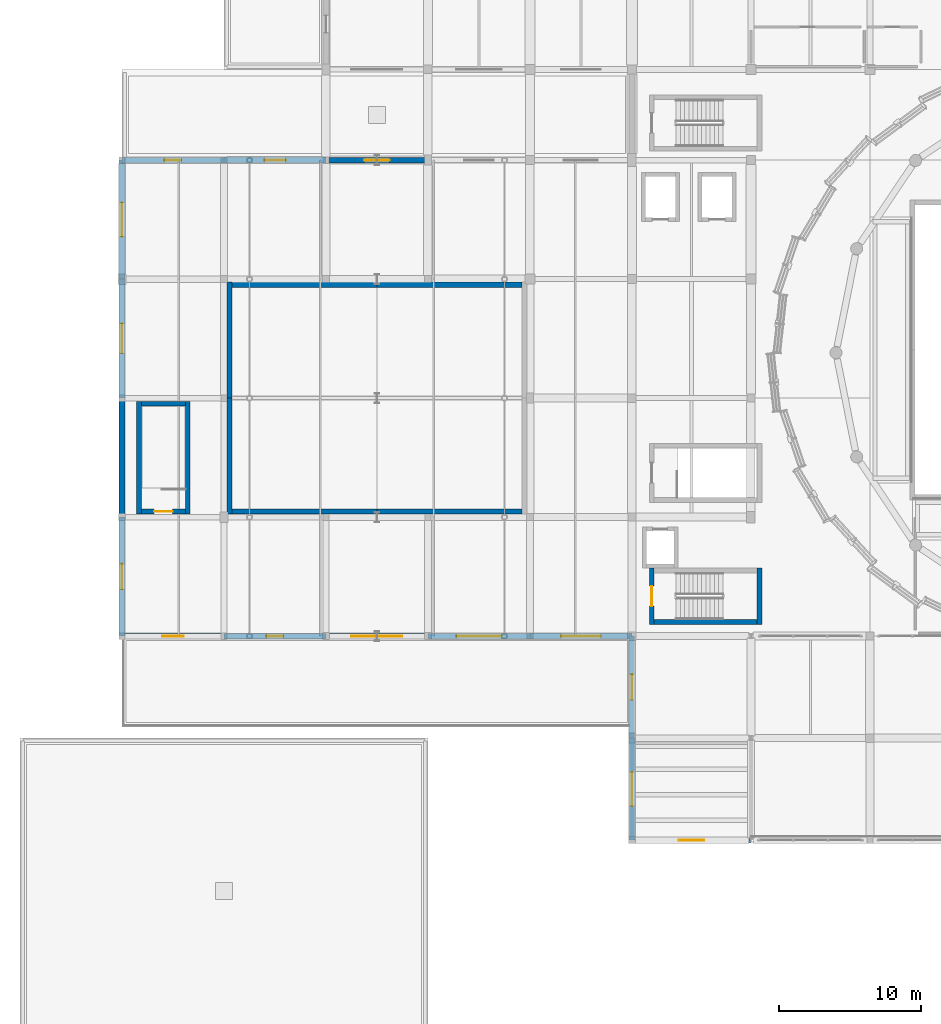
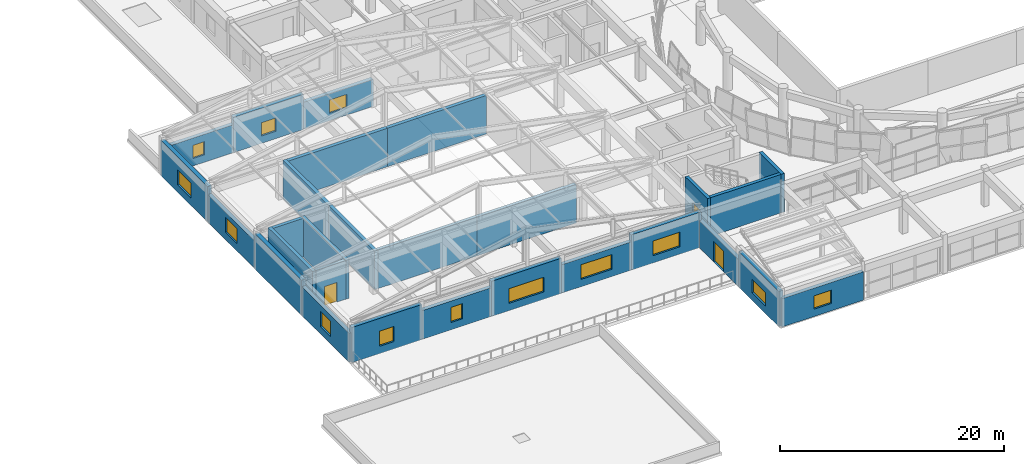
# One storey, part 54 of 74: 28 walls, 13 windows, 3 doors, 16 openings.
"""IFC4 building model written with IfcOpenShell, lengths in metres."""

from ifc_helpers import new_model, si_unit, direction, frame, frame_2d, origin, place, context, subcontext, project, spatial, rectangle, extrude, material, layer, layer_set, type_object, element, fill, save


model = new_model("IFC4")

# Units and contexts
model_context = context("Model", 3, precision=1e-05, world=origin(), true_north=direction((0.0, 1.0)))
body_context = subcontext(model_context, "Body", "Model", "MODEL_VIEW")
ifc_project = project(units=[si_unit("LENGTHUNIT", "METRE"), si_unit("AREAUNIT", "SQUARE_METRE"), si_unit("VOLUMEUNIT", "CUBIC_METRE"), si_unit("PLANEANGLEUNIT", "RADIAN"), si_unit("MASSUNIT", "GRAM", prefix="KILO")], contexts=[model_context])

# Site, building, storey
site_placement = place(None, origin())
site = spatial("IfcSite", under=ifc_project, at=site_placement, CompositionType="ELEMENT")
building_placement = place(site_placement, origin())
building = spatial("IfcBuilding", under=site, at=building_placement, Name="Korsvaeld Concert Hall", CompositionType="ELEMENT")
storey_placement = place(building_placement, frame((0.0, 0.0, 9.0)))
storey = spatial("IfcBuildingStorey", under=building, at=storey_placement, Name="L02", CompositionType="ELEMENT", Elevation=9.0)

# Walls
ifc_material_1 = material(Name="Concrete C40/50", Category="concrete")
ifc_layer_1 = layer(ifc_material_1, 0.340087890625)
ifc_layer_set_1 = layer_set([ifc_layer_1], Name="Concrete C40/50")
wall_type_1 = type_object("IfcWallType", Name="WL-CORE-340", PredefinedType="SHEAR", material=ifc_layer_set_1)
wall_1_placement = place(storey_placement, frame((51.969970703125, 44.199951171875, 0.0), z_axis=(0.0, 0.0, 1.0), x_axis=(1.0, 0.0, 0.0)))
element("IfcWall", 1, at=wall_1_placement, inside=storey, type_object=wall_type_1, Name="Core K3 shear wall L02 S", PredefinedType="SHEAR", context=body_context, shape_type="SweptSolid", body=[
    extrude(rectangle(XDim=7.260009765625, YDim=0.340087890625, at=frame_2d((3.6298828125, 0.0))), origin(), (0.0, 0.0, 1.0), 4.199951171875),
])
wall_2_placement = place(storey_placement, frame((59.39990234375, 44.030029296875, 0.0), z_axis=(0.0, 0.0, 1.0), x_axis=(0.0, 1.0, 0.0)))
element("IfcWall", 2, at=wall_2_placement, inside=storey, type_object=wall_type_1, Name="Core K3 shear wall L02 E", PredefinedType="SHEAR", context=body_context, shape_type="SweptSolid", body=[
    extrude(rectangle(XDim=3.97998046875, YDim=0.340087890625, at=frame_2d((1.989990234375, 0.0))), origin(), (0.0, 0.0, 1.0), 4.199951171875),
])

# Wall, opening, door
wall_3_placement = place(storey_placement, frame((51.800048828125, 48.010009765625, 0.0), z_axis=(0.0, 0.0, 1.0), x_axis=(0.0, -1.0, 0.0)))
wall_3 = element("IfcWall", 3, at=wall_3_placement, inside=storey, type_object=wall_type_1, Name="Core K3 shear wall L02 W", PredefinedType="SHEAR", context=body_context, shape_type="SweptSolid", body=[
    extrude(rectangle(XDim=3.97998046875, YDim=0.340087890625, at=frame_2d((1.989990234375, 0.0))), origin(), (0.0, 0.0, 1.0), 4.199951171875),
])
opening_1_placement = place(wall_3_placement, frame((1.2900390625, 0.0, 0.0)))
opening_1 = element("IfcOpeningElement", 4, at=opening_1_placement, cuts=wall_3, Name="Opening FD-02", PredefinedType="OPENING", context=body_context, shape_type="SweptSolid", body=[
    extrude(rectangle(XDim=1.39990234375, YDim=2.14990234375, at=frame_2d((0.699951171875, 1.074951171875))), frame((0.0, 0.18017578125, 0.0), z_axis=(0.0, -1.0, 0.0), x_axis=(1.0, 0.0, 0.0)), (0.0, 0.0, 1.0), 0.360107421875),
])
ifc_material_2 = material(Name="Acoustic steel and oak fire door", Category="steel")
door_type_1 = type_object("IfcDoorType", Name="DR-FD-STAIR-140x215", OperationType="NOTDEFINED", PredefinedType="DOOR", material=ifc_material_2)
door_1_placement = place(opening_1_placement, origin())
door_1 = element("IfcDoor", 5, at=door_1_placement, inside=storey, type_object=door_type_1, Name="Escape stair ST-K3 fire door L02", OperationType="SINGLE_SWING_RIGHT", OverallHeight=2.14990234375, OverallWidth=1.39990234375, PredefinedType="DOOR", context=body_context, shape_type="SweptSolid", body=[
    extrude(rectangle(XDim=1.39990234375, YDim=2.14990234375, at=frame_2d((0.699951171875, 1.074951171875))), frame((0.0, 0.02490234375, 0.0), z_axis=(0.0, -1.0, 0.0), x_axis=(1.0, 0.0, 0.0)), (0.0, 0.0, 1.0), 0.050048828125),
])
fill(opening_1, door_1)

wall_4_placement = place(storey_placement, frame((15.77001953125, 52.0, 0.0), z_axis=(0.0, 0.0, 1.0), x_axis=(1.0, 0.0, 0.0)))
wall_4 = element("IfcWall", 6, at=wall_4_placement, inside=storey, type_object=wall_type_1, Name="Core V3S shear wall L02 S", PredefinedType="SHEAR", context=body_context, shape_type="SweptSolid", body=[
    extrude(rectangle(XDim=3.10009765625, YDim=0.340087890625, at=frame_2d((1.550048828125, 0.0))), origin(), (0.0, 0.0, 1.0), 4.199951171875),
])
opening_2_placement = place(wall_4_placement, frame((0.89990234375, 0.0, 0.0)))
opening_2 = element("IfcOpeningElement", 7, at=opening_2_placement, cuts=wall_4, Name="Opening FD-01", PredefinedType="OPENING", context=body_context, shape_type="SweptSolid", body=[
    extrude(rectangle(XDim=1.300048828125, YDim=2.14990234375, at=frame_2d((0.64990234375, 1.074951171875))), frame((0.0, 0.18017578125, 0.0), z_axis=(0.0, -1.0, 0.0), x_axis=(1.0, 0.0, 0.0)), (0.0, 0.0, 1.0), 0.360107421875),
])
door_type_2 = type_object("IfcDoorType", Name="DR-FD-STAIR-130x215", OperationType="NOTDEFINED", PredefinedType="DOOR", material=ifc_material_2)
door_2_placement = place(opening_2_placement, origin())
door_2 = element("IfcDoor", 8, at=door_2_placement, inside=storey, type_object=door_type_2, Name="Escape stair ST-F3 fire door L02", OperationType="SINGLE_SWING_LEFT", OverallHeight=2.14990234375, OverallWidth=1.300048828125, PredefinedType="DOOR", context=body_context, shape_type="SweptSolid", body=[
    extrude(rectangle(XDim=1.300048828125, YDim=2.14990234375, at=frame_2d((0.64990234375, 1.074951171875))), frame((0.0, 0.02490234375, 0.0), z_axis=(0.0, -1.0, 0.0), x_axis=(1.0, 0.0, 0.0)), (0.0, 0.0, 1.0), 0.050048828125),
])
fill(opening_2, door_2)

# Walls
wall_5_placement = place(storey_placement, frame((19.0400390625, 51.830078125, 0.0), z_axis=(0.0, 0.0, 1.0), x_axis=(0.0, 1.0, 0.0)))
element("IfcWall", 9, at=wall_5_placement, inside=storey, type_object=wall_type_1, Name="Core V3S shear wall L02 E", PredefinedType="SHEAR", context=body_context, shape_type="SweptSolid", body=[
    extrude(rectangle(XDim=7.93994140625, YDim=0.340087890625, at=frame_2d((3.969970703125, 0.0))), origin(), (0.0, 0.0, 1.0), 4.199951171875),
])
wall_6_placement = place(storey_placement, frame((18.8701171875, 59.60009765625, 0.0), z_axis=(0.0, 0.0, 1.0), x_axis=(-1.0, 0.0, 0.0)))
element("IfcWall", 10, at=wall_6_placement, inside=storey, type_object=wall_type_1, Name="Core V3S shear wall L02 N", PredefinedType="SHEAR", context=body_context, shape_type="SweptSolid", body=[
    extrude(rectangle(XDim=3.10009765625, YDim=0.340087890625, at=frame_2d((1.550048828125, 0.0))), origin(), (0.0, 0.0, 1.0), 4.199951171875),
])
wall_7_placement = place(storey_placement, frame((15.60009765625, 59.77001953125, 0.0), z_axis=(0.0, 0.0, 1.0), x_axis=(0.0, -1.0, 0.0)))
element("IfcWall", 11, at=wall_7_placement, inside=storey, type_object=wall_type_1, Name="Core V3S shear wall L02 W", PredefinedType="SHEAR", context=body_context, shape_type="SweptSolid", body=[
    extrude(rectangle(XDim=7.93994140625, YDim=0.340087890625, at=frame_2d((3.969970703125, 0.0))), origin(), (0.0, 0.0, 1.0), 4.199951171875),
])

# Wall, opening, door
ifc_material_3 = material(Name="Obernkirchener buff sandstone rainscreen on Concrete C35/45", Category="masonry")
ifc_layer_2 = layer(ifc_material_3, 0.389892578125)
ifc_layer_set_2 = layer_set([ifc_layer_2], Name="Obernkirchener buff sandstone rainscreen on Concrete C35/45")
wall_type_2 = type_object("IfcWallType", Name="WL-EXT-BUFF-390", PredefinedType="STANDARD", material=ifc_layer_set_2)
wall_8_placement = place(storey_placement, frame((50.39990234375, 36.0, 0.0), z_axis=(0.0, 0.0, 1.0), x_axis=(0.0, 1.0, 0.0)))
wall_8 = element("IfcWall", 12, at=wall_8_placement, inside=storey, type_object=wall_type_2, Name="Exterior sandstone wall L02-214", PredefinedType="STANDARD", context=body_context, shape_type="SweptSolid", body=[
    extrude(rectangle(XDim=7.199951171875, YDim=0.389892578125, at=frame_2d((3.60009765625, 0.0))), origin(), (0.0, 0.0, 1.0), 2.93994140625),
])
opening_3_placement = place(wall_8_placement, frame((2.699951171875, 0.0, 0.0)))
opening_3 = element("IfcOpeningElement", 13, at=opening_3_placement, cuts=wall_8, Name="Opening TD-01", PredefinedType="OPENING", context=body_context, shape_type="SweptSolid", body=[
    extrude(rectangle(XDim=1.800048828125, YDim=2.199951171875, at=frame_2d((0.89990234375, 1.10009765625))), frame((0.0, 0.205078125, 0.0), z_axis=(0.0, -1.0, 0.0), x_axis=(1.0, 0.0, 0.0)), (0.0, 0.0, 1.0), 0.409912109375),
])
ifc_material_4 = material(Name="Anodised bronze terrace door")
door_type_3 = type_object("IfcDoorType", Name="DR-TER-180x220", OperationType="DOUBLE_DOOR_SINGLE_SWING", PredefinedType="DOOR", material=ifc_material_4)
door_3_placement = place(opening_3_placement, frame((1.800048828125, 0.0, 0.0), z_axis=(0.0, 0.0, 1.0), x_axis=(-1.0, 0.0, 0.0)))
door_3 = element("IfcDoor", 14, at=door_3_placement, inside=storey, type_object=door_type_3, Name="Roof-garden terrace access door TER_L02_W", OperationType="DOUBLE_DOOR_SINGLE_SWING", OverallHeight=2.199951171875, OverallWidth=1.800048828125, PredefinedType="DOOR", context=body_context, shape_type="SweptSolid", body=[
    extrude(rectangle(XDim=1.800048828125, YDim=2.199951171875, at=frame_2d((0.89990234375, 1.10009765625))), frame((0.0, 0.02490234375, 0.0), z_axis=(0.0, -1.0, 0.0), x_axis=(1.0, 0.0, 0.0)), (0.0, 0.0, 1.0), 0.050048828125),
])
fill(opening_3, door_3)

# Wall, opening, window
wall_9_placement = place(storey_placement, frame((43.199951171875, 43.199951171875, 0.0), z_axis=(0.0, 0.0, 1.0), x_axis=(-1.0, 0.0, 0.0)))
wall_9 = element("IfcWall", 15, at=wall_9_placement, inside=storey, type_object=wall_type_2, Name="Exterior sandstone wall L02-216", PredefinedType="STANDARD", context=body_context, shape_type="SweptSolid", body=[
    extrude(rectangle(XDim=7.199951171875, YDim=0.389892578125, at=frame_2d((3.60009765625, 0.0))), origin(), (0.0, 0.0, 1.0), 3.090087890625),
])
opening_4_placement = place(wall_9_placement, frame((2.0, 0.0, 0.800048828125)))
opening_4 = element("IfcOpeningElement", 16, at=opening_4_placement, cuts=wall_9, Name="Opening WN-15", PredefinedType="OPENING", context=body_context, shape_type="SweptSolid", body=[
    extrude(rectangle(XDim=3.199951171875, YDim=1.60009765625, at=frame_2d((1.60009765625, 0.800048828125))), frame((0.0, 0.205078125, 0.0), z_axis=(0.0, -1.0, 0.0), x_axis=(1.0, 0.0, 0.0)), (0.0, 0.0, 1.0), 0.409912109375),
])
ifc_material_5 = material(Name="Anodised bronze frame with acoustic triple glazing", Category="glass")
window_type_1 = type_object("IfcWindowType", Name="WIN-AC-320x160", PartitioningType="TRIPLE_PANEL_VERTICAL", PredefinedType="WINDOW", material=ifc_material_5)
window_1_placement = place(opening_4_placement, origin())
window_1 = element("IfcWindow", 17, at=window_1_placement, inside=storey, type_object=window_type_1, Name="Acoustic triple-glazed window L02-122", OverallHeight=1.60009765625, OverallWidth=3.199951171875, PartitioningType="TRIPLE_PANEL_VERTICAL", PredefinedType="WINDOW", context=body_context, shape_type="SweptSolid", body=[
    extrude(rectangle(XDim=3.199951171875, YDim=1.60009765625, at=frame_2d((1.60009765625, 0.800048828125))), frame((0.0, 0.030029296875, 0.0), z_axis=(0.0, -1.0, 0.0), x_axis=(1.0, 0.0, 0.0)), (0.0, 0.0, 1.0), 0.06005859375),
])
fill(opening_4, window_1)

wall_10_placement = place(storey_placement, frame((28.800048828125, 43.199951171875, 0.0), z_axis=(0.0, 0.0, 1.0), x_axis=(-1.0, 0.0, 0.0)))
wall_10 = element("IfcWall", 18, at=wall_10_placement, inside=storey, type_object=wall_type_2, Name="Exterior sandstone wall L02-218", PredefinedType="STANDARD", context=body_context, shape_type="SweptSolid", body=[
    extrude(rectangle(XDim=7.199951171875, YDim=0.389892578125, at=frame_2d((3.60009765625, 0.0))), origin(), (0.0, 0.0, 1.0), 3.139892578125),
])
opening_5_placement = place(wall_10_placement, frame((3.0, 0.0, 0.800048828125)))
opening_5 = element("IfcOpeningElement", 19, at=opening_5_placement, cuts=wall_10, Name="Opening WN-01", PredefinedType="OPENING", context=body_context, shape_type="SweptSolid", body=[
    extrude(rectangle(XDim=1.199951171875, YDim=1.64990234375, at=frame_2d((0.60009765625, 0.824951171875))), frame((0.0, 0.205078125, 0.0), z_axis=(0.0, -1.0, 0.0), x_axis=(1.0, 0.0, 0.0)), (0.0, 0.0, 1.0), 0.409912109375),
])
window_type_2 = type_object("IfcWindowType", Name="WIN-AC-120x165", PartitioningType="SINGLE_PANEL", PredefinedType="WINDOW", material=ifc_material_5)
window_2_placement = place(opening_5_placement, origin())
window_2 = element("IfcWindow", 20, at=window_2_placement, inside=storey, type_object=window_type_2, Name="Acoustic triple-glazed window L02-124", OverallHeight=1.64990234375, OverallWidth=1.199951171875, PartitioningType="SINGLE_PANEL", PredefinedType="WINDOW", context=body_context, shape_type="SweptSolid", body=[
    extrude(rectangle(XDim=1.199951171875, YDim=1.64990234375, at=frame_2d((0.60009765625, 0.824951171875))), frame((0.0, 0.030029296875, 0.0), z_axis=(0.0, -1.0, 0.0), x_axis=(1.0, 0.0, 0.0)), (0.0, 0.0, 1.0), 0.06005859375),
])
fill(opening_5, window_2)

wall_11_placement = place(storey_placement, frame((14.39990234375, 43.199951171875, 0.0), z_axis=(0.0, 0.0, 1.0), x_axis=(0.0, 1.0, 0.0)))
wall_11 = element("IfcWall", 21, at=wall_11_placement, inside=storey, type_object=wall_type_2, Name="Exterior sandstone wall L02-220", PredefinedType="STANDARD", context=body_context, shape_type="SweptSolid", body=[
    extrude(rectangle(XDim=8.400146484375, YDim=0.389892578125, at=frame_2d((4.2001953125, 0.0))), origin(), (0.0, 0.0, 1.0), 3.139892578125),
])
opening_6_placement = place(wall_11_placement, frame((3.300048828125, 0.0, 0.800048828125)))
opening_6 = element("IfcOpeningElement", 22, at=opening_6_placement, cuts=wall_11, Name="Opening WN-03", PredefinedType="OPENING", context=body_context, shape_type="SweptSolid", body=[
    extrude(rectangle(XDim=1.800048828125, YDim=1.64990234375, at=frame_2d((0.89990234375, 0.824951171875))), frame((0.0, 0.205078125, 0.0), z_axis=(0.0, -1.0, 0.0), x_axis=(1.0, 0.0, 0.0)), (0.0, 0.0, 1.0), 0.409912109375),
])
window_type_3 = type_object("IfcWindowType", Name="WIN-AC-180x165", PartitioningType="SINGLE_PANEL", PredefinedType="WINDOW", material=ifc_material_5)
window_3_placement = place(opening_6_placement, origin())
window_3 = element("IfcWindow", 23, at=window_3_placement, inside=storey, type_object=window_type_3, Name="Acoustic triple-glazed window L02-126", OverallHeight=1.64990234375, OverallWidth=1.800048828125, PartitioningType="SINGLE_PANEL", PredefinedType="WINDOW", context=body_context, shape_type="SweptSolid", body=[
    extrude(rectangle(XDim=1.800048828125, YDim=1.64990234375, at=frame_2d((0.89990234375, 0.824951171875))), frame((0.0, 0.030029296875, 0.0), z_axis=(0.0, -1.0, 0.0), x_axis=(1.0, 0.0, 0.0)), (0.0, 0.0, 1.0), 0.06005859375),
])
fill(opening_6, window_3)

wall_12_placement = place(storey_placement, frame((14.39990234375, 60.0, 0.0), z_axis=(0.0, 0.0, 1.0), x_axis=(0.0, 1.0, 0.0)))
wall_12 = element("IfcWall", 24, at=wall_12_placement, inside=storey, type_object=wall_type_2, Name="Exterior sandstone wall L02-222", PredefinedType="STANDARD", context=body_context, shape_type="SweptSolid", body=[
    extrude(rectangle(XDim=8.39990234375, YDim=0.389892578125, at=frame_2d((4.199951171875, 0.0))), origin(), (0.0, 0.0, 1.0), 2.989990234375),
])
opening_7_placement = place(wall_12_placement, frame((3.14990234375, 0.0, 0.800048828125)))
opening_7 = element("IfcOpeningElement", 25, at=opening_7_placement, cuts=wall_12, Name="Opening WN-04", PredefinedType="OPENING", context=body_context, shape_type="SweptSolid", body=[
    extrude(rectangle(XDim=2.10009765625, YDim=1.64990234375, at=frame_2d((1.050048828125, 0.824951171875))), frame((0.0, 0.205078125, 0.0), z_axis=(0.0, -1.0, 0.0), x_axis=(1.0, 0.0, 0.0)), (0.0, 0.0, 1.0), 0.409912109375),
])
window_type_4 = type_object("IfcWindowType", Name="WIN-AC-210x165", PartitioningType="SINGLE_PANEL", PredefinedType="WINDOW", material=ifc_material_5)
window_4_placement = place(opening_7_placement, origin())
window_4 = element("IfcWindow", 26, at=window_4_placement, inside=storey, type_object=window_type_4, Name="Acoustic triple-glazed window L02-127", OverallHeight=1.64990234375, OverallWidth=2.10009765625, PartitioningType="SINGLE_PANEL", PredefinedType="WINDOW", context=body_context, shape_type="SweptSolid", body=[
    extrude(rectangle(XDim=2.10009765625, YDim=1.64990234375, at=frame_2d((1.050048828125, 0.824951171875))), frame((0.0, 0.030029296875, 0.0), z_axis=(0.0, -1.0, 0.0), x_axis=(1.0, 0.0, 0.0)), (0.0, 0.0, 1.0), 0.06005859375),
])
fill(opening_7, window_4)

wall_13_placement = place(storey_placement, frame((14.39990234375, 76.800048828125, 0.0), z_axis=(0.0, 0.0, 1.0), x_axis=(1.0, 0.0, 0.0)))
wall_13 = element("IfcWall", 27, at=wall_13_placement, inside=storey, type_object=wall_type_2, Name="Exterior sandstone wall L02-224", PredefinedType="STANDARD", context=body_context, shape_type="SweptSolid", body=[
    extrude(rectangle(XDim=7.2001953125, YDim=0.389892578125, at=frame_2d((3.60009765625, 0.0))), origin(), (0.0, 0.0, 1.0), 3.0400390625),
])
opening_8_placement = place(wall_13_placement, frame((3.0, 0.0, 0.800048828125)))
opening_8 = element("IfcOpeningElement", 28, at=opening_8_placement, cuts=wall_13, Name="Opening WN-06", PredefinedType="OPENING", context=body_context, shape_type="SweptSolid", body=[
    extrude(rectangle(XDim=1.199951171875, YDim=1.449951171875, at=frame_2d((0.60009765625, 0.72509765625))), frame((0.0, 0.205078125, 0.0), z_axis=(0.0, -1.0, 0.0), x_axis=(1.0, 0.0, 0.0)), (0.0, 0.0, 1.0), 0.409912109375),
])
window_type_5 = type_object("IfcWindowType", Name="WIN-AC-120x145", PartitioningType="SINGLE_PANEL", PredefinedType="WINDOW", material=ifc_material_5)
window_5_placement = place(opening_8_placement, origin())
window_5 = element("IfcWindow", 29, at=window_5_placement, inside=storey, type_object=window_type_5, Name="Acoustic triple-glazed window L02-129", OverallHeight=1.449951171875, OverallWidth=1.199951171875, PartitioningType="SINGLE_PANEL", PredefinedType="WINDOW", context=body_context, shape_type="SweptSolid", body=[
    extrude(rectangle(XDim=1.199951171875, YDim=1.449951171875, at=frame_2d((0.60009765625, 0.72509765625))), frame((0.0, 0.030029296875, 0.0), z_axis=(0.0, -1.0, 0.0), x_axis=(1.0, 0.0, 0.0)), (0.0, 0.0, 1.0), 0.06005859375),
])
fill(opening_8, window_5)

wall_14_placement = place(storey_placement, frame((28.800048828125, 76.800048828125, 0.0), z_axis=(0.0, 0.0, 1.0), x_axis=(1.0, 0.0, 0.0)))
wall_14 = element("IfcWall", 30, at=wall_14_placement, inside=storey, type_object=wall_type_2, Name="Exterior sandstone wall L02-226", PredefinedType="STANDARD", context=body_context, shape_type="SweptSolid", body=[
    extrude(rectangle(XDim=7.199951171875, YDim=0.389892578125, at=frame_2d((3.60009765625, 0.0))), origin(), (0.0, 0.0, 1.0), 2.93994140625),
])
opening_9_placement = place(wall_14_placement, frame((2.699951171875, 0.0, 0.800048828125)))
opening_9 = element("IfcOpeningElement", 31, at=opening_9_placement, cuts=wall_14, Name="Opening WN-08", PredefinedType="OPENING", context=body_context, shape_type="SweptSolid", body=[
    extrude(rectangle(XDim=1.800048828125, YDim=1.449951171875, at=frame_2d((0.89990234375, 0.72509765625))), frame((0.0, 0.205078125, 0.0), z_axis=(0.0, -1.0, 0.0), x_axis=(1.0, 0.0, 0.0)), (0.0, 0.0, 1.0), 0.409912109375),
])
window_type_6 = type_object("IfcWindowType", Name="WIN-AC-180x145", PartitioningType="SINGLE_PANEL", PredefinedType="WINDOW", material=ifc_material_5)
window_6_placement = place(opening_9_placement, origin())
window_6 = element("IfcWindow", 32, at=window_6_placement, inside=storey, type_object=window_type_6, Name="Acoustic triple-glazed window L02-131", OverallHeight=1.449951171875, OverallWidth=1.800048828125, PartitioningType="SINGLE_PANEL", PredefinedType="WINDOW", context=body_context, shape_type="SweptSolid", body=[
    extrude(rectangle(XDim=1.800048828125, YDim=1.449951171875, at=frame_2d((0.89990234375, 0.72509765625))), frame((0.0, 0.030029296875, 0.0), z_axis=(0.0, -1.0, 0.0), x_axis=(1.0, 0.0, 0.0)), (0.0, 0.0, 1.0), 0.06005859375),
])
fill(opening_9, window_6)

wall_15_placement = place(storey_placement, frame((58.800048828125, 28.800048828125, 0.0), z_axis=(0.0, 0.0, 1.0), x_axis=(-1.0, 0.0, 0.0)))
wall_15 = element("IfcWall", 33, at=wall_15_placement, inside=storey, type_object=wall_type_2, Name="Exterior sandstone wall L02-282", PredefinedType="STANDARD", context=body_context, shape_type="SweptSolid", body=[
    extrude(rectangle(XDim=8.400146484375, YDim=0.389892578125, at=frame_2d((4.2001953125, 0.0))), origin(), (0.0, 0.0, 1.0), 3.090087890625),
])
opening_10_placement = place(wall_15_placement, frame((3.300048828125, 0.0, 0.800048828125)))
opening_10 = element("IfcOpeningElement", 34, at=opening_10_placement, cuts=wall_15, Name="Opening WN-08", PredefinedType="OPENING", context=body_context, shape_type="SweptSolid", body=[
    extrude(rectangle(XDim=1.800048828125, YDim=1.449951171875, at=frame_2d((0.89990234375, 0.72509765625))), frame((0.0, 0.205078125, 0.0), z_axis=(0.0, -1.0, 0.0), x_axis=(1.0, 0.0, 0.0)), (0.0, 0.0, 1.0), 0.409912109375),
])
window_7_placement = place(opening_10_placement, origin())
window_7 = element("IfcWindow", 35, at=window_7_placement, inside=storey, type_object=window_type_6, Name="Acoustic triple-glazed window L02-183", OverallHeight=1.449951171875, OverallWidth=1.800048828125, PartitioningType="SINGLE_PANEL", PredefinedType="WINDOW", context=body_context, shape_type="SweptSolid", body=[
    extrude(rectangle(XDim=1.800048828125, YDim=1.449951171875, at=frame_2d((0.89990234375, 0.72509765625))), frame((0.0, 0.030029296875, 0.0), z_axis=(0.0, -1.0, 0.0), x_axis=(1.0, 0.0, 0.0)), (0.0, 0.0, 1.0), 0.06005859375),
])
fill(opening_10, window_7)

ifc_material_6 = material(Name="Bornholm Nexo rose-red sandstone rainscreen on Concrete C35/45", Category="masonry")
ifc_layer_3 = layer(ifc_material_6, 0.419921875)
ifc_layer_set_3 = layer_set([ifc_layer_3], Name="Bornholm Nexo rose-red sandstone rainscreen on Concrete C35/45")
wall_type_3 = type_object("IfcWallType", Name="WL-EXT-NEXO-420", PredefinedType="STANDARD", material=ifc_layer_set_3)
wall_16_placement = place(storey_placement, frame((50.39990234375, 28.800048828125, 0.0), z_axis=(0.0, 0.0, 1.0), x_axis=(0.0, 1.0, 0.0)))
wall_16 = element("IfcWall", 36, at=wall_16_placement, inside=storey, type_object=wall_type_3, Name="Exterior sandstone wall L02-213", PredefinedType="STANDARD", context=body_context, shape_type="SweptSolid", body=[
    extrude(rectangle(XDim=7.199951171875, YDim=0.419921875, at=frame_2d((3.60009765625, 0.0))), origin(), (0.0, 0.0, 1.0), 3.840087890625),
])
opening_11_placement = place(wall_16_placement, frame((2.39990234375, 0.0, 0.800048828125)))
opening_11 = element("IfcOpeningElement", 37, at=opening_11_placement, cuts=wall_16, Name="Opening WN-10", PredefinedType="OPENING", context=body_context, shape_type="SweptSolid", body=[
    extrude(rectangle(XDim=2.39990234375, YDim=1.449951171875, at=frame_2d((1.199951171875, 0.72509765625))), frame((0.0, 0.219970703125, 0.0), z_axis=(0.0, -1.0, 0.0), x_axis=(1.0, 0.0, 0.0)), (0.0, 0.0, 1.0), 0.43994140625),
])
window_type_7 = type_object("IfcWindowType", Name="WIN-AC-240x145", PartitioningType="TRIPLE_PANEL_VERTICAL", PredefinedType="WINDOW", material=ifc_material_5)
window_8_placement = place(opening_11_placement, origin())
window_8 = element("IfcWindow", 38, at=window_8_placement, inside=storey, type_object=window_type_7, Name="Acoustic triple-glazed window L02-120", OverallHeight=1.449951171875, OverallWidth=2.39990234375, PartitioningType="TRIPLE_PANEL_VERTICAL", PredefinedType="WINDOW", context=body_context, shape_type="SweptSolid", body=[
    extrude(rectangle(XDim=2.39990234375, YDim=1.449951171875, at=frame_2d((1.199951171875, 0.72509765625))), frame((0.0, 0.030029296875, 0.0), z_axis=(0.0, -1.0, 0.0), x_axis=(1.0, 0.0, 0.0)), (0.0, 0.0, 1.0), 0.06005859375),
])
fill(opening_11, window_8)

wall_17_placement = place(storey_placement, frame((50.39990234375, 43.199951171875, 0.0), z_axis=(0.0, 0.0, 1.0), x_axis=(-1.0, 0.0, 0.0)))
wall_17 = element("IfcWall", 39, at=wall_17_placement, inside=storey, type_object=wall_type_3, Name="Exterior sandstone wall L02-215", PredefinedType="STANDARD", context=body_context, shape_type="SweptSolid", body=[
    extrude(rectangle(XDim=7.199951171875, YDim=0.419921875, at=frame_2d((3.60009765625, 0.0))), origin(), (0.0, 0.0, 1.0), 3.840087890625),
])
opening_12_placement = place(wall_17_placement, frame((2.199951171875, 0.0, 0.800048828125)))
opening_12 = element("IfcOpeningElement", 40, at=opening_12_placement, cuts=wall_17, Name="Opening WN-14", PredefinedType="OPENING", context=body_context, shape_type="SweptSolid", body=[
    extrude(rectangle(XDim=2.800048828125, YDim=1.60009765625, at=frame_2d((1.39990234375, 0.800048828125))), frame((0.0, 0.219970703125, 0.0), z_axis=(0.0, -1.0, 0.0), x_axis=(1.0, 0.0, 0.0)), (0.0, 0.0, 1.0), 0.43994140625),
])
window_type_8 = type_object("IfcWindowType", Name="WIN-AC-280x160", PartitioningType="TRIPLE_PANEL_VERTICAL", PredefinedType="WINDOW", material=ifc_material_5)
window_9_placement = place(opening_12_placement, origin())
window_9 = element("IfcWindow", 41, at=window_9_placement, inside=storey, type_object=window_type_8, Name="Acoustic triple-glazed window L02-121", OverallHeight=1.60009765625, OverallWidth=2.800048828125, PartitioningType="TRIPLE_PANEL_VERTICAL", PredefinedType="WINDOW", context=body_context, shape_type="SweptSolid", body=[
    extrude(rectangle(XDim=2.800048828125, YDim=1.60009765625, at=frame_2d((1.39990234375, 0.800048828125))), frame((0.0, 0.030029296875, 0.0), z_axis=(0.0, -1.0, 0.0), x_axis=(1.0, 0.0, 0.0)), (0.0, 0.0, 1.0), 0.06005859375),
])
fill(opening_12, window_9)

wall_18_placement = place(storey_placement, frame((36.0, 43.199951171875, 0.0), z_axis=(0.0, 0.0, 1.0), x_axis=(-1.0, 0.0, 0.0)))
wall_18 = element("IfcWall", 42, at=wall_18_placement, inside=storey, type_object=wall_type_3, Name="Exterior sandstone wall L02-217", PredefinedType="STANDARD", context=body_context, shape_type="SweptSolid", body=[
    extrude(rectangle(XDim=7.199951171875, YDim=0.419921875, at=frame_2d((3.60009765625, 0.0))), origin(), (0.0, 0.0, 1.0), 3.840087890625),
])
opening_13_placement = place(wall_18_placement, frame((1.800048828125, 0.0, 0.800048828125)))
opening_13 = element("IfcOpeningElement", 43, at=opening_13_placement, cuts=wall_18, Name="Opening WN-16", PredefinedType="OPENING", context=body_context, shape_type="SweptSolid", body=[
    extrude(rectangle(XDim=3.60009765625, YDim=1.60009765625, at=frame_2d((1.800048828125, 0.800048828125))), frame((0.0, 0.219970703125, 0.0), z_axis=(0.0, -1.0, 0.0), x_axis=(1.0, 0.0, 0.0)), (0.0, 0.0, 1.0), 0.43994140625),
])
window_type_9 = type_object("IfcWindowType", Name="WIN-AC-360x160", PartitioningType="TRIPLE_PANEL_VERTICAL", PredefinedType="WINDOW", material=ifc_material_5)
window_10_placement = place(opening_13_placement, origin())
window_10 = element("IfcWindow", 44, at=window_10_placement, inside=storey, type_object=window_type_9, Name="Acoustic triple-glazed window L02-123", OverallHeight=1.60009765625, OverallWidth=3.60009765625, PartitioningType="TRIPLE_PANEL_VERTICAL", PredefinedType="WINDOW", context=body_context, shape_type="SweptSolid", body=[
    extrude(rectangle(XDim=3.60009765625, YDim=1.60009765625, at=frame_2d((1.800048828125, 0.800048828125))), frame((0.0, 0.030029296875, 0.0), z_axis=(0.0, -1.0, 0.0), x_axis=(1.0, 0.0, 0.0)), (0.0, 0.0, 1.0), 0.06005859375),
])
fill(opening_13, window_10)

wall_19_placement = place(storey_placement, frame((21.60009765625, 43.199951171875, 0.0), z_axis=(0.0, 0.0, 1.0), x_axis=(-1.0, 0.0, 0.0)))
wall_19 = element("IfcWall", 45, at=wall_19_placement, inside=storey, type_object=wall_type_3, Name="Exterior sandstone wall L02-219", PredefinedType="STANDARD", context=body_context, shape_type="SweptSolid", body=[
    extrude(rectangle(XDim=7.2001953125, YDim=0.419921875, at=frame_2d((3.60009765625, 0.0))), origin(), (0.0, 0.0, 1.0), 3.840087890625),
])
opening_14_placement = place(wall_19_placement, frame((2.85009765625, 0.0, 0.800048828125)))
opening_14 = element("IfcOpeningElement", 46, at=opening_14_placement, cuts=wall_19, Name="Opening WN-02", PredefinedType="OPENING", context=body_context, shape_type="SweptSolid", body=[
    extrude(rectangle(XDim=1.5, YDim=1.64990234375, at=frame_2d((0.75, 0.824951171875))), frame((0.0, 0.219970703125, 0.0), z_axis=(0.0, -1.0, 0.0), x_axis=(1.0, 0.0, 0.0)), (0.0, 0.0, 1.0), 0.43994140625),
])
window_type_10 = type_object("IfcWindowType", Name="WIN-AC-150x165", PartitioningType="SINGLE_PANEL", PredefinedType="WINDOW", material=ifc_material_5)
window_11_placement = place(opening_14_placement, origin())
window_11 = element("IfcWindow", 47, at=window_11_placement, inside=storey, type_object=window_type_10, Name="Acoustic triple-glazed window L02-125", OverallHeight=1.64990234375, OverallWidth=1.5, PartitioningType="SINGLE_PANEL", PredefinedType="WINDOW", context=body_context, shape_type="SweptSolid", body=[
    extrude(rectangle(XDim=1.5, YDim=1.64990234375, at=frame_2d((0.75, 0.824951171875))), frame((0.0, 0.030029296875, 0.0), z_axis=(0.0, -1.0, 0.0), x_axis=(1.0, 0.0, 0.0)), (0.0, 0.0, 1.0), 0.06005859375),
])
fill(opening_14, window_11)

# Wall
wall_20_placement = place(storey_placement, frame((14.39990234375, 51.60009765625, 0.0), z_axis=(0.0, 0.0, 1.0), x_axis=(0.0, 1.0, 0.0)))
element("IfcWall", 48, at=wall_20_placement, inside=storey, type_object=wall_type_3, Name="Exterior sandstone wall L02-221", PredefinedType="STANDARD", context=body_context, shape_type="SweptSolid", body=[
    extrude(rectangle(XDim=8.39990234375, YDim=0.419921875, at=frame_2d((4.199951171875, 0.0))), origin(), (0.0, 0.0, 1.0), 3.840087890625),
])

# Wall, opening, window
wall_21_placement = place(storey_placement, frame((14.39990234375, 68.39990234375, 0.0), z_axis=(0.0, 0.0, 1.0), x_axis=(0.0, 1.0, 0.0)))
wall_21 = element("IfcWall", 49, at=wall_21_placement, inside=storey, type_object=wall_type_3, Name="Exterior sandstone wall L02-223", PredefinedType="STANDARD", context=body_context, shape_type="SweptSolid", body=[
    extrude(rectangle(XDim=8.400146484375, YDim=0.419921875, at=frame_2d((4.2001953125, 0.0))), origin(), (0.0, 0.0, 1.0), 3.840087890625),
])
opening_15_placement = place(wall_21_placement, frame((3.0, 0.0, 0.800048828125)))
opening_15 = element("IfcOpeningElement", 50, at=opening_15_placement, cuts=wall_21, Name="Opening WN-05", PredefinedType="OPENING", context=body_context, shape_type="SweptSolid", body=[
    extrude(rectangle(XDim=2.39990234375, YDim=1.64990234375, at=frame_2d((1.199951171875, 0.824951171875))), frame((0.0, 0.219970703125, 0.0), z_axis=(0.0, -1.0, 0.0), x_axis=(1.0, 0.0, 0.0)), (0.0, 0.0, 1.0), 0.43994140625),
])
window_type_11 = type_object("IfcWindowType", Name="WIN-AC-240x165", PartitioningType="TRIPLE_PANEL_VERTICAL", PredefinedType="WINDOW", material=ifc_material_5)
window_12_placement = place(opening_15_placement, origin())
window_12 = element("IfcWindow", 51, at=window_12_placement, inside=storey, type_object=window_type_11, Name="Acoustic triple-glazed window L02-128", OverallHeight=1.64990234375, OverallWidth=2.39990234375, PartitioningType="TRIPLE_PANEL_VERTICAL", PredefinedType="WINDOW", context=body_context, shape_type="SweptSolid", body=[
    extrude(rectangle(XDim=2.39990234375, YDim=1.64990234375, at=frame_2d((1.199951171875, 0.824951171875))), frame((0.0, 0.030029296875, 0.0), z_axis=(0.0, -1.0, 0.0), x_axis=(1.0, 0.0, 0.0)), (0.0, 0.0, 1.0), 0.06005859375),
])
fill(opening_15, window_12)

wall_22_placement = place(storey_placement, frame((21.60009765625, 76.800048828125, 0.0), z_axis=(0.0, 0.0, 1.0), x_axis=(1.0, 0.0, 0.0)))
wall_22 = element("IfcWall", 52, at=wall_22_placement, inside=storey, type_object=wall_type_3, Name="Exterior sandstone wall L02-225", PredefinedType="STANDARD", context=body_context, shape_type="SweptSolid", body=[
    extrude(rectangle(XDim=7.199951171875, YDim=0.419921875, at=frame_2d((3.60009765625, 0.0))), origin(), (0.0, 0.0, 1.0), 3.840087890625),
])
opening_16_placement = place(wall_22_placement, frame((2.85009765625, 0.0, 0.800048828125)))
opening_16 = element("IfcOpeningElement", 53, at=opening_16_placement, cuts=wall_22, Name="Opening WN-07", PredefinedType="OPENING", context=body_context, shape_type="SweptSolid", body=[
    extrude(rectangle(XDim=1.5, YDim=1.449951171875, at=frame_2d((0.75, 0.72509765625))), frame((0.0, 0.219970703125, 0.0), z_axis=(0.0, -1.0, 0.0), x_axis=(1.0, 0.0, 0.0)), (0.0, 0.0, 1.0), 0.43994140625),
])
window_type_12 = type_object("IfcWindowType", Name="WIN-AC-150x145", PartitioningType="SINGLE_PANEL", PredefinedType="WINDOW", material=ifc_material_5)
window_13_placement = place(opening_16_placement, origin())
window_13 = element("IfcWindow", 54, at=window_13_placement, inside=storey, type_object=window_type_12, Name="Acoustic triple-glazed window L02-130", OverallHeight=1.449951171875, OverallWidth=1.5, PartitioningType="SINGLE_PANEL", PredefinedType="WINDOW", context=body_context, shape_type="SweptSolid", body=[
    extrude(rectangle(XDim=1.5, YDim=1.449951171875, at=frame_2d((0.75, 0.72509765625))), frame((0.0, 0.030029296875, 0.0), z_axis=(0.0, -1.0, 0.0), x_axis=(1.0, 0.0, 0.0)), (0.0, 0.0, 1.0), 0.06005859375),
])
fill(opening_16, window_13)

# Walls
ifc_material_7 = material(Name="Bornholm Nexo crimson sandstone on Concrete C40/50", Category="masonry")
ifc_layer_4 = layer(ifc_material_7, 0.360107421875)
ifc_layer_set_4 = layer_set([ifc_layer_4], Name="Bornholm Nexo crimson sandstone on Concrete C40/50")
wall_type_4 = type_object("IfcWallType", Name="WL-HALL-360", PredefinedType="SHEAR", material=ifc_layer_set_4)
wall_23_placement = place(storey_placement, frame((22.179931640625, 52.0, 0.0), z_axis=(0.0, 0.0, 1.0), x_axis=(1.0, 0.0, 0.0)))
element("IfcWall", 55, at=wall_23_placement, inside=storey, type_object=wall_type_4, Name="Acoustic hall box wall V3H L02 S.1", PredefinedType="SHEAR", context=body_context, shape_type="SweptSolid", body=[
    extrude(rectangle(XDim=10.219970703125, YDim=0.360107421875, at=frame_2d((5.10986328125, 0.0))), origin(), (0.0, 0.0, 1.0), 4.199951171875),
])
for number, where, z_axis, x_axis, name in (
    (56, (32.39990234375, 52.0, 0.0), (0.0, 0.0, 1.0), (1.0, 0.0, 0.0), "Acoustic hall box wall V3H L02 S.2"),
    (57, (42.6201171875, 68.0, 0.0), (0.0, 0.0, 1.0), (-1.0, 0.0, 0.0), "Acoustic hall box wall V3H L02 N.1"),
):
    element("IfcWall", number, at=place(storey_placement, frame(where, z_axis=z_axis, x_axis=x_axis)), inside=storey, type_object=wall_type_4, Name=name, PredefinedType="SHEAR", context=body_context, shape_type="SweptSolid", body=[
        extrude(rectangle(XDim=10.22021484375, YDim=0.360107421875, at=frame_2d((5.110107421875, 0.0))), origin(), (0.0, 0.0, 1.0), 4.199951171875),
    ])
wall_24_placement = place(storey_placement, frame((32.39990234375, 68.0, 0.0), z_axis=(0.0, 0.0, 1.0), x_axis=(-1.0, 0.0, 0.0)))
element("IfcWall", 58, at=wall_24_placement, inside=storey, type_object=wall_type_4, Name="Acoustic hall box wall V3H L02 N.2", PredefinedType="SHEAR", context=body_context, shape_type="SweptSolid", body=[
    extrude(rectangle(XDim=10.219970703125, YDim=0.360107421875, at=frame_2d((5.10986328125, 0.0))), origin(), (0.0, 0.0, 1.0), 4.199951171875),
])
for number, where, z_axis, x_axis, name in (
    (59, (22.0, 68.179931640625, 0.0), (0.0, 0.0, 1.0), (0.0, -1.0, 0.0), "Acoustic hall box wall V3H L02 W.1"),
    (60, (22.0, 60.0, 0.0), (0.0, 0.0, 1.0), (0.0, -1.0, 0.0), "Acoustic hall box wall V3H L02 W.2"),
):
    element("IfcWall", number, at=place(storey_placement, frame(where, z_axis=z_axis, x_axis=x_axis)), inside=storey, type_object=wall_type_4, Name=name, PredefinedType="SHEAR", context=body_context, shape_type="SweptSolid", body=[
        extrude(rectangle(XDim=8.179931640625, YDim=0.360107421875, at=frame_2d((4.08984375, 0.0))), origin(), (0.0, 0.0, 1.0), 4.199951171875),
    ])

save(model, "model.ifc")
